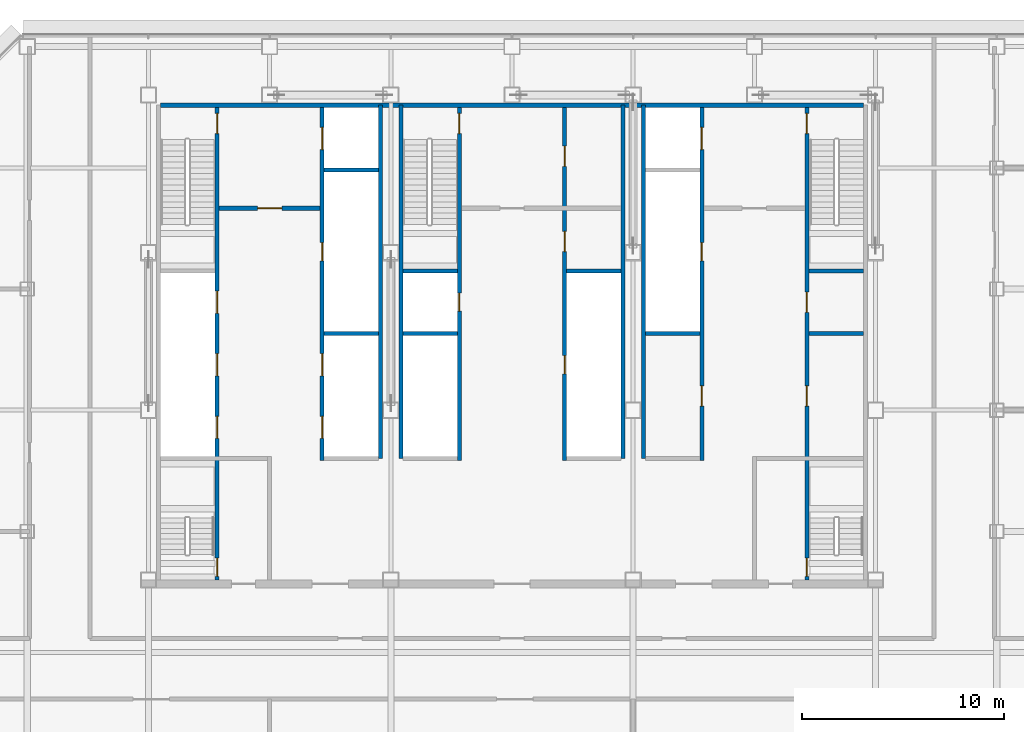
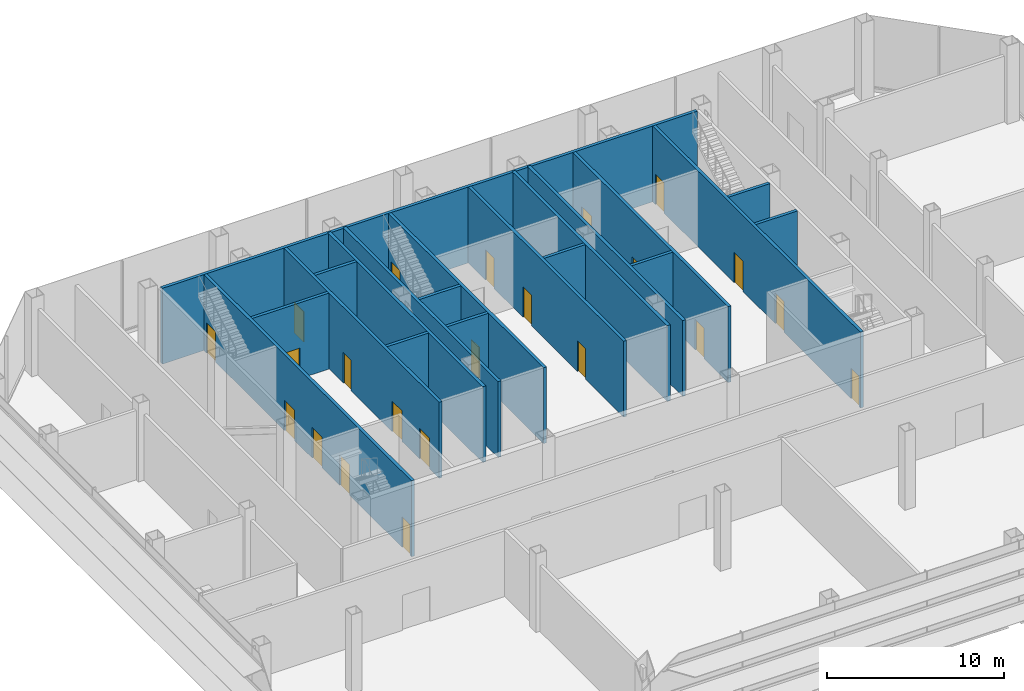
# One storey, part 17 of 23: 22 doors, 20 walls, 22 openings.
"""IFC4 building model written with IfcOpenShell, lengths in metres."""

from ifc_helpers import new_model, si_unit, direction, frame, frame_2d, origin, place, context, subcontext, project, spatial, rectangle, extrude, material, layer, layer_set, type_object, element, fill, save


model = new_model("IFC4")

# Units and contexts
model_context = context("Model", 3, precision=1e-05, world=origin(), true_north=direction((0.0, 1.0)))
body_context = subcontext(model_context, "Body", "Model", "MODEL_VIEW")
ifc_project = project(units=[si_unit("LENGTHUNIT", "METRE"), si_unit("AREAUNIT", "SQUARE_METRE"), si_unit("VOLUMEUNIT", "CUBIC_METRE"), si_unit("PLANEANGLEUNIT", "RADIAN"), si_unit("MASSUNIT", "GRAM", prefix="KILO")], contexts=[model_context])

# Site, building, storey
site_placement = place(None, origin())
site = spatial("IfcSite", under=ifc_project, at=site_placement, CompositionType="ELEMENT")
building_placement = place(site_placement, origin())
building = spatial("IfcBuilding", under=site, at=building_placement, Name="Sorahane Residences", CompositionType="ELEMENT")
storey_placement = place(building_placement, frame((0.0, 0.0, 114.199951171875)))
storey = spatial("IfcBuildingStorey", under=building, at=storey_placement, Name="L25", CompositionType="ELEMENT", Elevation=114.199951171875)

# Walls
ifc_material_1 = material(Name="Concrete C30", Category="concrete")
ifc_layer_1 = layer(ifc_material_1, 0.199951171875)
ifc_layer_set_1 = layer_set([ifc_layer_1], Name="Core face wall 200 EI 180")
wall_type_1 = type_object("IfcWallType", Name="Core face wall 200 EI 180", PredefinedType="SOLIDWALL", material=ifc_layer_set_1)
wall_1_placement = place(storey_placement, frame((6.60009765625, 45.10009765625, 0.0), z_axis=(0.0, 0.0, 1.0), x_axis=(1.0, 0.0, 0.0)))
element("IfcWall", 1, at=wall_1_placement, inside=storey, type_object=wall_type_1, Name="L25 core face wall", PredefinedType="SOLIDWALL", context=body_context, shape_type="SweptSolid", body=[
    extrude(rectangle(XDim=34.7998046875, YDim=0.199951171875, at=frame_2d((17.39990234375, 0.0))), origin(), (0.0, 0.0, 1.0), 5.219970703125),
])
for number, where, z_axis, x_axis, name in (
    (2, (17.5, 27.60009765625, 0.0), (0.0, 0.0, 1.0), (0.0, 1.0, 0.0), "L25 core face wall"),
    (3, (18.5, 27.60009765625, 0.0), (0.0, 0.0, 1.0), (0.0, 1.0, 0.0), "L25 core face wall"),
    (4, (29.5, 27.60009765625, 0.0), (0.0, 0.0, 1.0), (0.0, 1.0, 0.0), "L25 core face wall"),
    (5, (30.5, 27.60009765625, 0.0), (0.0, 0.0, 1.0), (0.0, 1.0, 0.0), "L25 core face wall"),
):
    element("IfcWall", number, at=place(storey_placement, frame(where, z_axis=z_axis, x_axis=x_axis)), inside=storey, type_object=wall_type_1, Name=name, PredefinedType="SOLIDWALL", context=body_context, shape_type="SweptSolid", body=[
        extrude(rectangle(XDim=17.5, YDim=0.199951171875, at=frame_2d((8.75, 0.0))), origin(), (0.0, 0.0, 1.0), 5.219970703125),
    ])

# Wall, opening, door
ifc_material_2 = material(Name="Concrete C30", Category="concrete")
ifc_layer_2 = layer(ifc_material_2, 0.199951171875)
ifc_layer_set_2 = layer_set([ifc_layer_2], Name="Front room wall 200 EI 120")
wall_type_2 = type_object("IfcWallType", Name="Front room wall 200 EI 120", PredefinedType="PARTITIONING", material=ifc_layer_set_2)
wall_2_placement = place(storey_placement, frame((9.5, 40.0, 0.0), z_axis=(0.0, 0.0, 1.0), x_axis=(1.0, 0.0, 0.0)))
wall_2 = element("IfcWall", 6, at=wall_2_placement, inside=storey, type_object=wall_type_2, Name="L25 front room wall", PredefinedType="PARTITIONING", context=body_context, shape_type="SweptSolid", body=[
    extrude(rectangle(XDim=5.0, YDim=0.199951171875, at=frame_2d((2.5, 0.0))), origin(), (0.0, 0.0, 1.0), 5.219970703125),
])
opening_1_placement = place(wall_2_placement, frame((1.89990234375, 0.0, 0.0)))
opening_1 = element("IfcOpeningElement", 7, at=opening_1_placement, cuts=wall_2, Name="Opening L25-C06", PredefinedType="OPENING", context=body_context, shape_type="SweptSolid", body=[
    extrude(rectangle(XDim=1.199951171875, YDim=2.10009765625, at=frame_2d((0.60009765625, 1.050048828125))), frame((0.0, 0.10986328125, 0.0), z_axis=(0.0, -1.0, 0.0), x_axis=(1.0, 0.0, 0.0)), (0.0, 0.0, 1.0), 0.219970703125),
])
ifc_material_3 = material(Name="Steel", Category="steel")
door_type_1 = type_object("IfcDoorType", Name="Front room door 1200x2100 FD120", OperationType="NOTDEFINED", PredefinedType="DOOR", material=ifc_material_3)
door_1_placement = place(opening_1_placement, frame((1.199951171875, 0.0, 0.0), z_axis=(0.0, 0.0, 1.0), x_axis=(-1.0, 0.0, 0.0)))
door_1 = element("IfcDoor", 8, at=door_1_placement, inside=storey, type_object=door_type_1, Name="Front room door Firefighting lobby FF1 front room L25", OperationType="DOUBLE_DOOR_SINGLE_SWING", OverallHeight=2.10009765625, OverallWidth=1.199951171875, PredefinedType="DOOR", context=body_context, shape_type="SweptSolid", body=[
    extrude(rectangle(XDim=1.199951171875, YDim=2.10009765625, at=frame_2d((0.60009765625, 1.050048828125))), frame((0.0, 0.02490234375, 0.0), z_axis=(0.0, -1.0, 0.0), x_axis=(1.0, 0.0, 0.0)), (0.0, 0.0, 1.0), 0.050048828125),
])
fill(opening_1, door_1)

# Wall, openings, doors
ifc_material_4 = material(Name="Concrete C30", Category="concrete")
ifc_layer_3 = layer(ifc_material_4, 0.199951171875)
ifc_layer_set_3 = layer_set([ifc_layer_3], Name="Lift shaft wall 200 EI 120")
wall_type_3 = type_object("IfcWallType", Name="Lift shaft wall 200 EI 120", PredefinedType="SOLIDWALL", material=ifc_layer_set_3)
wall_3_placement = place(storey_placement, frame((14.60009765625, 27.5, 0.0), z_axis=(0.0, 0.0, 1.0), x_axis=(0.0, 1.0, 0.0)))
wall_3 = element("IfcWall", 9, at=wall_3_placement, inside=storey, type_object=wall_type_3, Name="L25 lift shaft wall", PredefinedType="SOLIDWALL", context=body_context, shape_type="SweptSolid", body=[
    extrude(rectangle(XDim=17.5, YDim=0.199951171875, at=frame_2d((8.75, 0.0))), origin(), (0.0, 0.0, 1.0), 5.219970703125),
])
opening_2_placement = place(wall_3_placement, frame((1.10009765625, 0.0, 0.0)))
opening_2 = element("IfcOpeningElement", 10, at=opening_2_placement, cuts=wall_3, Name="Opening L25-C10", PredefinedType="OPENING", context=body_context, shape_type="SweptSolid", body=[
    extrude(rectangle(XDim=1.10009765625, YDim=2.10009765625, at=frame_2d((0.550048828125, 1.050048828125))), frame((0.0, 0.10986328125, 0.0), z_axis=(0.0, -1.0, 0.0), x_axis=(1.0, 0.0, 0.0)), (0.0, 0.0, 1.0), 0.219970703125),
])
opening_3_placement = place(wall_3_placement, frame((4.199951171875, 0.0, 0.0)))
opening_3 = element("IfcOpeningElement", 11, at=opening_3_placement, cuts=wall_3, Name="Opening L25-C11", PredefinedType="OPENING", context=body_context, shape_type="SweptSolid", body=[
    extrude(rectangle(XDim=1.10009765625, YDim=2.10009765625, at=frame_2d((0.550048828125, 1.050048828125))), frame((0.0, 0.10986328125, 0.0), z_axis=(0.0, -1.0, 0.0), x_axis=(1.0, 0.0, 0.0)), (0.0, 0.0, 1.0), 0.219970703125),
])
opening_4_placement = place(wall_3_placement, frame((15.39990234375, 0.0, 0.0)))
opening_4 = element("IfcOpeningElement", 12, at=opening_4_placement, cuts=wall_3, Name="Opening L25-C12", PredefinedType="OPENING", context=body_context, shape_type="SweptSolid", body=[
    extrude(rectangle(XDim=1.10009765625, YDim=2.10009765625, at=frame_2d((0.550048828125, 1.050048828125))), frame((0.0, 0.10986328125, 0.0), z_axis=(0.0, -1.0, 0.0), x_axis=(1.0, 0.0, 0.0)), (0.0, 0.0, 1.0), 0.219970703125),
])
opening_5_placement = place(wall_3_placement, frame((9.89990234375, 0.0, 0.0)))
opening_5 = element("IfcOpeningElement", 13, at=opening_5_placement, cuts=wall_3, Name="Opening L25-C24", PredefinedType="OPENING", context=body_context, shape_type="SweptSolid", body=[
    extrude(rectangle(XDim=0.89990234375, YDim=2.10009765625, at=frame_2d((0.449951171875, 1.050048828125))), frame((0.0, 0.10986328125, 0.0), z_axis=(0.0, -1.0, 0.0), x_axis=(1.0, 0.0, 0.0)), (0.0, 0.0, 1.0), 0.219970703125),
])
ifc_material_5 = material(Name="Aluminium and stainless steel", Category="steel")
door_type_2 = type_object("IfcDoorType", Name="Lift landing door 1100x2100 E 60", OperationType="NOTDEFINED", PredefinedType="DOOR", material=ifc_material_5)
door_2_placement = place(opening_2_placement, origin())
door_2 = element("IfcDoor", 14, at=door_2_placement, inside=storey, type_object=door_type_2, Name="Lift landing door LR4 L25", OperationType="DOUBLE_DOOR_SLIDING", OverallHeight=2.10009765625, OverallWidth=1.10009765625, PredefinedType="DOOR", context=body_context, shape_type="SweptSolid", body=[
    extrude(rectangle(XDim=1.10009765625, YDim=2.10009765625, at=frame_2d((0.550048828125, 1.050048828125))), frame((0.0, 0.02490234375, 0.0), z_axis=(0.0, -1.0, 0.0), x_axis=(1.0, 0.0, 0.0)), (0.0, 0.0, 1.0), 0.050048828125),
])
fill(opening_2, door_2)
door_3_placement = place(opening_3_placement, origin())
door_3 = element("IfcDoor", 15, at=door_3_placement, inside=storey, type_object=door_type_2, Name="Lift landing door LR5 L25", OperationType="DOUBLE_DOOR_SLIDING", OverallHeight=2.10009765625, OverallWidth=1.10009765625, PredefinedType="DOOR", context=body_context, shape_type="SweptSolid", body=[
    extrude(rectangle(XDim=1.10009765625, YDim=2.10009765625, at=frame_2d((0.550048828125, 1.050048828125))), frame((0.0, 0.02490234375, 0.0), z_axis=(0.0, -1.0, 0.0), x_axis=(1.0, 0.0, 0.0)), (0.0, 0.0, 1.0), 0.050048828125),
])
fill(opening_3, door_3)
door_4_placement = place(opening_4_placement, origin())
door_4 = element("IfcDoor", 16, at=door_4_placement, inside=storey, type_object=door_type_2, Name="Lift landing door FF1 L25", OperationType="DOUBLE_DOOR_SLIDING", OverallHeight=2.10009765625, OverallWidth=1.10009765625, PredefinedType="DOOR", context=body_context, shape_type="SweptSolid", body=[
    extrude(rectangle(XDim=1.10009765625, YDim=2.10009765625, at=frame_2d((0.550048828125, 1.050048828125))), frame((0.0, 0.02490234375, 0.0), z_axis=(0.0, -1.0, 0.0), x_axis=(1.0, 0.0, 0.0)), (0.0, 0.0, 1.0), 0.050048828125),
])
fill(opening_4, door_4)
ifc_material_6 = material(Name="Steel", Category="steel")
door_type_3 = type_object("IfcDoorType", Name="Riser door 900x2100 FD120", OperationType="NOTDEFINED", PredefinedType="DOOR", material=ifc_material_6)
door_5_placement = place(opening_5_placement, origin())
door_5 = element("IfcDoor", 17, at=door_5_placement, inside=storey, type_object=door_type_3, Name="Riser door R1 L25", OperationType="SINGLE_SWING_LEFT", OverallHeight=2.10009765625, OverallWidth=0.89990234375, PredefinedType="DOOR", context=body_context, shape_type="SweptSolid", body=[
    extrude(rectangle(XDim=0.89990234375, YDim=2.10009765625, at=frame_2d((0.449951171875, 1.050048828125))), frame((0.0, 0.02490234375, 0.0), z_axis=(0.0, -1.0, 0.0), x_axis=(1.0, 0.0, 0.0)), (0.0, 0.0, 1.0), 0.050048828125),
])
fill(opening_5, door_5)

wall_4_placement = place(storey_placement, frame((33.39990234375, 27.5, 0.0), z_axis=(0.0, 0.0, 1.0), x_axis=(0.0, 1.0, 0.0)))
wall_4 = element("IfcWall", 18, at=wall_4_placement, inside=storey, type_object=wall_type_3, Name="L25 lift shaft wall", PredefinedType="SOLIDWALL", context=body_context, shape_type="SweptSolid", body=[
    extrude(rectangle(XDim=17.5, YDim=0.199951171875, at=frame_2d((8.75, 0.0))), origin(), (0.0, 0.0, 1.0), 5.219970703125),
])
opening_6_placement = place(wall_4_placement, frame((15.39990234375, 0.0, 0.0)))
opening_6 = element("IfcOpeningElement", 19, at=opening_6_placement, cuts=wall_4, Name="Opening L25-C09", PredefinedType="OPENING", context=body_context, shape_type="SweptSolid", body=[
    extrude(rectangle(XDim=1.10009765625, YDim=2.10009765625, at=frame_2d((0.550048828125, 1.050048828125))), frame((0.0, 0.10986328125, 0.0), z_axis=(0.0, -1.0, 0.0), x_axis=(1.0, 0.0, 0.0)), (0.0, 0.0, 1.0), 0.219970703125),
])
opening_7_placement = place(wall_4_placement, frame((2.699951171875, 0.0, 0.0)))
opening_7 = element("IfcOpeningElement", 20, at=opening_7_placement, cuts=wall_4, Name="Opening L25-C18", PredefinedType="OPENING", context=body_context, shape_type="SweptSolid", body=[
    extrude(rectangle(XDim=1.0, YDim=2.10009765625, at=frame_2d((0.5, 1.050048828125))), frame((0.0, 0.10986328125, 0.0), z_axis=(0.0, -1.0, 0.0), x_axis=(1.0, 0.0, 0.0)), (0.0, 0.0, 1.0), 0.219970703125),
])
opening_8_placement = place(wall_4_placement, frame((9.89990234375, 0.0, 0.0)))
opening_8 = element("IfcOpeningElement", 21, at=opening_8_placement, cuts=wall_4, Name="Opening L25-C25", PredefinedType="OPENING", context=body_context, shape_type="SweptSolid", body=[
    extrude(rectangle(XDim=0.89990234375, YDim=2.10009765625, at=frame_2d((0.449951171875, 1.050048828125))), frame((0.0, 0.10986328125, 0.0), z_axis=(0.0, -1.0, 0.0), x_axis=(1.0, 0.0, 0.0)), (0.0, 0.0, 1.0), 0.219970703125),
])
door_6_placement = place(opening_6_placement, origin())
door_6 = element("IfcDoor", 22, at=door_6_placement, inside=storey, type_object=door_type_2, Name="Lift landing door FF2 L25", OperationType="DOUBLE_DOOR_SLIDING", OverallHeight=2.10009765625, OverallWidth=1.10009765625, PredefinedType="DOOR", context=body_context, shape_type="SweptSolid", body=[
    extrude(rectangle(XDim=1.10009765625, YDim=2.10009765625, at=frame_2d((0.550048828125, 1.050048828125))), frame((0.0, 0.02490234375, 0.0), z_axis=(0.0, -1.0, 0.0), x_axis=(1.0, 0.0, 0.0)), (0.0, 0.0, 1.0), 0.050048828125),
])
fill(opening_6, door_6)
door_7_placement = place(opening_8_placement, frame((0.89990234375, 0.0, 0.0), z_axis=(0.0, 0.0, 1.0), x_axis=(-1.0, 0.0, 0.0)))
door_7 = element("IfcDoor", 23, at=door_7_placement, inside=storey, type_object=door_type_3, Name="Riser door R2 L25", OperationType="SINGLE_SWING_LEFT", OverallHeight=2.10009765625, OverallWidth=0.89990234375, PredefinedType="DOOR", context=body_context, shape_type="SweptSolid", body=[
    extrude(rectangle(XDim=0.89990234375, YDim=2.10009765625, at=frame_2d((0.449951171875, 1.050048828125))), frame((0.0, 0.02490234375, 0.0), z_axis=(0.0, -1.0, 0.0), x_axis=(1.0, 0.0, 0.0)), (0.0, 0.0, 1.0), 0.050048828125),
])
fill(opening_8, door_7)
ifc_material_7 = material(Name="Steel", Category="steel")
door_type_4 = type_object("IfcDoorType", Name="Service room door 1000x2100 FD60", OperationType="NOTDEFINED", PredefinedType="DOOR", material=ifc_material_7)
door_8_placement = place(opening_7_placement, origin())
door_8 = element("IfcDoor", 24, at=door_8_placement, inside=storey, type_object=door_type_4, Name="Service room door Games room L25", OperationType="SINGLE_SWING_RIGHT", OverallHeight=2.10009765625, OverallWidth=1.0, PredefinedType="DOOR", context=body_context, shape_type="SweptSolid", body=[
    extrude(rectangle(XDim=1.0, YDim=2.10009765625, at=frame_2d((0.5, 1.050048828125))), frame((0.0, 0.02490234375, 0.0), z_axis=(0.0, -1.0, 0.0), x_axis=(1.0, 0.0, 0.0)), (0.0, 0.0, 1.0), 0.050048828125),
])
fill(opening_7, door_8)

# Walls
for number, where, z_axis, x_axis, name in (
    (25, (14.699951171875, 33.800048828125, 0.0), (0.0, 0.0, 1.0), (1.0, 0.0, 0.0), "L25 lift shaft wall"),
    (26, (18.60009765625, 33.800048828125, 0.0), (0.0, 0.0, 1.0), (1.0, 0.0, 0.0), "L25 lift shaft wall"),
    (27, (14.699951171875, 41.89990234375, 0.0), (0.0, 0.0, 1.0), (1.0, 0.0, 0.0), "L25 lift shaft wall"),
):
    element("IfcWall", number, at=place(storey_placement, frame(where, z_axis=z_axis, x_axis=x_axis)), inside=storey, type_object=wall_type_3, Name=name, PredefinedType="SOLIDWALL", context=body_context, shape_type="SweptSolid", body=[
        extrude(rectangle(XDim=2.699951171875, YDim=0.199951171875, at=frame_2d((1.35009765625, 0.0))), origin(), (0.0, 0.0, 1.0), 5.219970703125),
    ])

# Wall, openings, doors
ifc_material_8 = material(Name="Concrete C30", Category="concrete")
ifc_layer_4 = layer(ifc_material_8, 0.199951171875)
ifc_layer_set_4 = layer_set([ifc_layer_4], Name="Riser shaft wall 200 EI 120")
wall_type_4 = type_object("IfcWallType", Name="Riser shaft wall 200 EI 120", PredefinedType="SOLIDWALL", material=ifc_layer_set_4)
wall_5_placement = place(storey_placement, frame((26.60009765625, 27.5, 0.0), z_axis=(0.0, 0.0, 1.0), x_axis=(0.0, 1.0, 0.0)))
wall_5 = element("IfcWall", 28, at=wall_5_placement, inside=storey, type_object=wall_type_4, Name="L25 riser wall", PredefinedType="SOLIDWALL", context=body_context, shape_type="SweptSolid", body=[
    extrude(rectangle(XDim=17.5, YDim=0.199951171875, at=frame_2d((8.75, 0.0))), origin(), (0.0, 0.0, 1.0), 5.219970703125),
])
opening_9_placement = place(wall_5_placement, frame((4.300048828125, 0.0, 0.0)))
opening_9 = element("IfcOpeningElement", 29, at=opening_9_placement, cuts=wall_5, Name="Opening L25-C27", PredefinedType="OPENING", context=body_context, shape_type="SweptSolid", body=[
    extrude(rectangle(XDim=0.89990234375, YDim=2.10009765625, at=frame_2d((0.449951171875, 1.050048828125))), frame((0.0, 0.10986328125, 0.0), z_axis=(0.0, -1.0, 0.0), x_axis=(1.0, 0.0, 0.0)), (0.0, 0.0, 1.0), 0.219970703125),
])
opening_10_placement = place(wall_5_placement, frame((10.35009765625, 0.0, 0.0)))
opening_10 = element("IfcOpeningElement", 30, at=opening_10_placement, cuts=wall_5, Name="Opening L25-C28", PredefinedType="OPENING", context=body_context, shape_type="SweptSolid", body=[
    extrude(rectangle(XDim=1.0, YDim=2.10009765625, at=frame_2d((0.5, 1.050048828125))), frame((0.0, 0.10986328125, 0.0), z_axis=(0.0, -1.0, 0.0), x_axis=(1.0, 0.0, 0.0)), (0.0, 0.0, 1.0), 0.219970703125),
])
opening_11_placement = place(wall_5_placement, frame((14.574951171875, 0.0, 0.0)))
opening_11 = element("IfcOpeningElement", 31, at=opening_11_placement, cuts=wall_5, Name="Opening L25-C29", PredefinedType="OPENING", context=body_context, shape_type="SweptSolid", body=[
    extrude(rectangle(XDim=1.0, YDim=2.10009765625, at=frame_2d((0.5, 1.050048828125))), frame((0.0, 0.10986328125, 0.0), z_axis=(0.0, -1.0, 0.0), x_axis=(1.0, 0.0, 0.0)), (0.0, 0.0, 1.0), 0.219970703125),
])
door_9_placement = place(opening_9_placement, origin())
door_9 = element("IfcDoor", 32, at=door_9_placement, inside=storey, type_object=door_type_3, Name="Riser door R4 L25", OperationType="SINGLE_SWING_LEFT", OverallHeight=2.10009765625, OverallWidth=0.89990234375, PredefinedType="DOOR", context=body_context, shape_type="SweptSolid", body=[
    extrude(rectangle(XDim=0.89990234375, YDim=2.10009765625, at=frame_2d((0.449951171875, 1.050048828125))), frame((0.0, 0.02490234375, 0.0), z_axis=(0.0, -1.0, 0.0), x_axis=(1.0, 0.0, 0.0)), (0.0, 0.0, 1.0), 0.050048828125),
])
fill(opening_9, door_9)
door_10_placement = place(opening_10_placement, frame((1.0, 0.0, 0.0), z_axis=(0.0, 0.0, 1.0), x_axis=(-1.0, 0.0, 0.0)))
door_10 = element("IfcDoor", 33, at=door_10_placement, inside=storey, type_object=door_type_4, Name="Service room door Linen room L25", OperationType="SINGLE_SWING_LEFT", OverallHeight=2.10009765625, OverallWidth=1.0, PredefinedType="DOOR", context=body_context, shape_type="SweptSolid", body=[
    extrude(rectangle(XDim=1.0, YDim=2.10009765625, at=frame_2d((0.5, 1.050048828125))), frame((0.0, 0.02490234375, 0.0), z_axis=(0.0, -1.0, 0.0), x_axis=(1.0, 0.0, 0.0)), (0.0, 0.0, 1.0), 0.050048828125),
])
fill(opening_10, door_10)
door_11_placement = place(opening_11_placement, frame((1.0, 0.0, 0.0), z_axis=(0.0, 0.0, 1.0), x_axis=(-1.0, 0.0, 0.0)))
door_11 = element("IfcDoor", 34, at=door_11_placement, inside=storey, type_object=door_type_4, Name="Service room door Cleaners' store L25", OperationType="SINGLE_SWING_LEFT", OverallHeight=2.10009765625, OverallWidth=1.0, PredefinedType="DOOR", context=body_context, shape_type="SweptSolid", body=[
    extrude(rectangle(XDim=1.0, YDim=2.10009765625, at=frame_2d((0.5, 1.050048828125))), frame((0.0, 0.02490234375, 0.0), z_axis=(0.0, -1.0, 0.0), x_axis=(1.0, 0.0, 0.0)), (0.0, 0.0, 1.0), 0.050048828125),
])
fill(opening_11, door_11)

# Walls
for number, where, z_axis, x_axis, name in (
    (35, (30.60009765625, 33.800048828125, 0.0), (0.0, 0.0, 1.0), (1.0, 0.0, 0.0), "L25 riser wall"),
    (36, (26.699951171875, 36.89990234375, 0.0), (0.0, 0.0, 1.0), (1.0, 0.0, 0.0), "L25 riser wall"),
):
    element("IfcWall", number, at=place(storey_placement, frame(where, z_axis=z_axis, x_axis=x_axis)), inside=storey, type_object=wall_type_4, Name=name, PredefinedType="SOLIDWALL", context=body_context, shape_type="SweptSolid", body=[
        extrude(rectangle(XDim=2.699951171875, YDim=0.199951171875, at=frame_2d((1.35009765625, 0.0))), origin(), (0.0, 0.0, 1.0), 5.219970703125),
    ])
ifc_material_9 = material(Name="Concrete C30", Category="concrete")
ifc_layer_5 = layer(ifc_material_9, 0.199951171875)
ifc_layer_set_5 = layer_set([ifc_layer_5], Name="Service room partition 200 EI 60")
wall_type_5 = type_object("IfcWallType", Name="Service room partition 200 EI 60", PredefinedType="PARTITIONING", material=ifc_layer_set_5)
wall_6_placement = place(storey_placement, frame((38.699951171875, 33.800048828125, 0.0), z_axis=(0.0, 0.0, 1.0), x_axis=(1.0, 0.0, 0.0)))
element("IfcWall", 37, at=wall_6_placement, inside=storey, type_object=wall_type_5, Name="L25 service room wall", PredefinedType="PARTITIONING", context=body_context, shape_type="SweptSolid", body=[
    extrude(rectangle(XDim=2.699951171875, YDim=0.199951171875, at=frame_2d((1.35009765625, 0.0))), origin(), (0.0, 0.0, 1.0), 5.219970703125),
])

# Wall, openings, doors
ifc_material_10 = material(Name="Concrete C30", Category="concrete")
ifc_layer_6 = layer(ifc_material_10, 0.199951171875)
ifc_layer_set_6 = layer_set([ifc_layer_6], Name="Stair enclosure wall 200 EI 120")
wall_type_6 = type_object("IfcWallType", Name="Stair enclosure wall 200 EI 120", PredefinedType="SOLIDWALL", material=ifc_layer_set_6)
wall_7_placement = place(storey_placement, frame((21.39990234375, 27.5, 0.0), z_axis=(0.0, 0.0, 1.0), x_axis=(0.0, 1.0, 0.0)))
wall_7 = element("IfcWall", 38, at=wall_7_placement, inside=storey, type_object=wall_type_6, Name="L25 stair enclosure wall", PredefinedType="SOLIDWALL", context=body_context, shape_type="SweptSolid", body=[
    extrude(rectangle(XDim=17.5, YDim=0.199951171875, at=frame_2d((8.75, 0.0))), origin(), (0.0, 0.0, 1.0), 5.219970703125),
])
opening_12_placement = place(wall_7_placement, frame((16.199951171875, 0.0, 0.0)))
opening_12 = element("IfcOpeningElement", 39, at=opening_12_placement, cuts=wall_7, Name="Opening L25-C21", PredefinedType="OPENING", context=body_context, shape_type="SweptSolid", body=[
    extrude(rectangle(XDim=1.0, YDim=2.10009765625, at=frame_2d((0.5, 1.050048828125))), frame((0.0, 0.10986328125, 0.0), z_axis=(0.0, -1.0, 0.0), x_axis=(1.0, 0.0, 0.0)), (0.0, 0.0, 1.0), 0.219970703125),
])
opening_13_placement = place(wall_7_placement, frame((7.39990234375, 0.0, 0.0)))
opening_13 = element("IfcOpeningElement", 40, at=opening_13_placement, cuts=wall_7, Name="Opening L25-C26", PredefinedType="OPENING", context=body_context, shape_type="SweptSolid", body=[
    extrude(rectangle(XDim=0.89990234375, YDim=2.10009765625, at=frame_2d((0.449951171875, 1.050048828125))), frame((0.0, 0.10986328125, 0.0), z_axis=(0.0, -1.0, 0.0), x_axis=(1.0, 0.0, 0.0)), (0.0, 0.0, 1.0), 0.219970703125),
])
door_12_placement = place(opening_13_placement, frame((0.89990234375, 0.0, 0.0), z_axis=(0.0, 0.0, 1.0), x_axis=(-1.0, 0.0, 0.0)))
door_12 = element("IfcDoor", 41, at=door_12_placement, inside=storey, type_object=door_type_3, Name="Riser door R3 L25", OperationType="SINGLE_SWING_LEFT", OverallHeight=2.10009765625, OverallWidth=0.89990234375, PredefinedType="DOOR", context=body_context, shape_type="SweptSolid", body=[
    extrude(rectangle(XDim=0.89990234375, YDim=2.10009765625, at=frame_2d((0.449951171875, 1.050048828125))), frame((0.0, 0.02490234375, 0.0), z_axis=(0.0, -1.0, 0.0), x_axis=(1.0, 0.0, 0.0)), (0.0, 0.0, 1.0), 0.050048828125),
])
fill(opening_13, door_12)
ifc_material_11 = material(Name="Steel", Category="steel")
door_type_5 = type_object("IfcDoorType", Name="Stair door 1000x2100 FD120", OperationType="NOTDEFINED", PredefinedType="DOOR", material=ifc_material_11)
door_13_placement = place(opening_12_placement, origin())
door_13 = element("IfcDoor", 42, at=door_13_placement, inside=storey, type_object=door_type_5, Name="Stair door S3 L25", OperationType="SINGLE_SWING_LEFT", OverallHeight=2.10009765625, OverallWidth=1.0, PredefinedType="DOOR", context=body_context, shape_type="SweptSolid", body=[
    extrude(rectangle(XDim=1.0, YDim=2.10009765625, at=frame_2d((0.5, 1.050048828125))), frame((0.0, 0.02490234375, 0.0), z_axis=(0.0, -1.0, 0.0), x_axis=(1.0, 0.0, 0.0)), (0.0, 0.0, 1.0), 0.050048828125),
])
fill(opening_12, door_13)

wall_8_placement = place(storey_placement, frame((38.60009765625, 21.60009765625, 0.0), z_axis=(0.0, 0.0, 1.0), x_axis=(0.0, 1.0, 0.0)))
wall_8 = element("IfcWall", 43, at=wall_8_placement, inside=storey, type_object=wall_type_6, Name="L25 stair enclosure wall", PredefinedType="SOLIDWALL", context=body_context, shape_type="SweptSolid", body=[
    extrude(rectangle(XDim=23.39990234375, YDim=0.199951171875, at=frame_2d((11.699951171875, 0.0))), origin(), (0.0, 0.0, 1.0), 5.219970703125),
])
opening_14_placement = place(wall_8_placement, frame((8.60009765625, 0.0, 0.0)))
opening_14 = element("IfcOpeningElement", 44, at=opening_14_placement, cuts=wall_8, Name="Opening L25-C16", PredefinedType="OPENING", context=body_context, shape_type="SweptSolid", body=[
    extrude(rectangle(XDim=1.0, YDim=2.10009765625, at=frame_2d((0.5, 1.050048828125))), frame((0.0, 0.10986328125, 0.0), z_axis=(0.0, -1.0, 0.0), x_axis=(1.0, 0.0, 0.0)), (0.0, 0.0, 1.0), 0.219970703125),
])
opening_15_placement = place(wall_8_placement, frame((13.25, 0.0, 0.0)))
opening_15 = element("IfcOpeningElement", 45, at=opening_15_placement, cuts=wall_8, Name="Opening L25-C17", PredefinedType="OPENING", context=body_context, shape_type="SweptSolid", body=[
    extrude(rectangle(XDim=1.0, YDim=2.10009765625, at=frame_2d((0.5, 1.050048828125))), frame((0.0, 0.10986328125, 0.0), z_axis=(0.0, -1.0, 0.0), x_axis=(1.0, 0.0, 0.0)), (0.0, 0.0, 1.0), 0.219970703125),
])
opening_16_placement = place(wall_8_placement, frame((22.10009765625, 0.0, 0.0)))
opening_16 = element("IfcOpeningElement", 46, at=opening_16_placement, cuts=wall_8, Name="Opening L25-C20", PredefinedType="OPENING", context=body_context, shape_type="SweptSolid", body=[
    extrude(rectangle(XDim=1.0, YDim=2.10009765625, at=frame_2d((0.5, 1.050048828125))), frame((0.0, 0.10986328125, 0.0), z_axis=(0.0, -1.0, 0.0), x_axis=(1.0, 0.0, 0.0)), (0.0, 0.0, 1.0), 0.219970703125),
])
opening_17_placement = place(wall_8_placement, frame((0.175048828125, 0.0, 0.0)))
opening_17 = element("IfcOpeningElement", 47, at=opening_17_placement, cuts=wall_8, Name="Opening L25-C23", PredefinedType="OPENING", context=body_context, shape_type="SweptSolid", body=[
    extrude(rectangle(XDim=0.89990234375, YDim=2.10009765625, at=frame_2d((0.449951171875, 1.050048828125))), frame((0.0, 0.10986328125, 0.0), z_axis=(0.0, -1.0, 0.0), x_axis=(1.0, 0.0, 0.0)), (0.0, 0.0, 1.0), 0.219970703125),
])
door_14_placement = place(opening_14_placement, frame((1.0, 0.0, 0.0), z_axis=(0.0, 0.0, 1.0), x_axis=(-1.0, 0.0, 0.0)))
door_14 = element("IfcDoor", 48, at=door_14_placement, inside=storey, type_object=door_type_4, Name="Service room door Games room L25", OperationType="SINGLE_SWING_RIGHT", OverallHeight=2.10009765625, OverallWidth=1.0, PredefinedType="DOOR", context=body_context, shape_type="SweptSolid", body=[
    extrude(rectangle(XDim=1.0, YDim=2.10009765625, at=frame_2d((0.5, 1.050048828125))), frame((0.0, 0.02490234375, 0.0), z_axis=(0.0, -1.0, 0.0), x_axis=(1.0, 0.0, 0.0)), (0.0, 0.0, 1.0), 0.050048828125),
])
fill(opening_14, door_14)
door_15_placement = place(opening_15_placement, frame((1.0, 0.0, 0.0), z_axis=(0.0, 0.0, 1.0), x_axis=(-1.0, 0.0, 0.0)))
door_15 = element("IfcDoor", 49, at=door_15_placement, inside=storey, type_object=door_type_4, Name="Service room door Audio room L25", OperationType="SINGLE_SWING_LEFT", OverallHeight=2.10009765625, OverallWidth=1.0, PredefinedType="DOOR", context=body_context, shape_type="SweptSolid", body=[
    extrude(rectangle(XDim=1.0, YDim=2.10009765625, at=frame_2d((0.5, 1.050048828125))), frame((0.0, 0.02490234375, 0.0), z_axis=(0.0, -1.0, 0.0), x_axis=(1.0, 0.0, 0.0)), (0.0, 0.0, 1.0), 0.050048828125),
])
fill(opening_15, door_15)
door_16_placement = place(opening_16_placement, frame((1.0, 0.0, 0.0), z_axis=(0.0, 0.0, 1.0), x_axis=(-1.0, 0.0, 0.0)))
door_16 = element("IfcDoor", 50, at=door_16_placement, inside=storey, type_object=door_type_5, Name="Stair door S2 L25", OperationType="SINGLE_SWING_LEFT", OverallHeight=2.10009765625, OverallWidth=1.0, PredefinedType="DOOR", context=body_context, shape_type="SweptSolid", body=[
    extrude(rectangle(XDim=1.0, YDim=2.10009765625, at=frame_2d((0.5, 1.050048828125))), frame((0.0, 0.02490234375, 0.0), z_axis=(0.0, -1.0, 0.0), x_axis=(1.0, 0.0, 0.0)), (0.0, 0.0, 1.0), 0.050048828125),
])
fill(opening_16, door_16)
ifc_material_12 = material(Name="Steel", Category="steel")
door_type_6 = type_object("IfcDoorType", Name="Stair door 900x2100 FD120", OperationType="NOTDEFINED", PredefinedType="DOOR", material=ifc_material_12)
door_17_placement = place(opening_17_placement, frame((0.89990234375, 0.0, 0.0), z_axis=(0.0, 0.0, 1.0), x_axis=(-1.0, 0.0, 0.0)))
door_17 = element("IfcDoor", 51, at=door_17_placement, inside=storey, type_object=door_type_6, Name="Stair door S5 L25", OperationType="SINGLE_SWING_LEFT", OverallHeight=2.10009765625, OverallWidth=0.89990234375, PredefinedType="DOOR", context=body_context, shape_type="SweptSolid", body=[
    extrude(rectangle(XDim=0.89990234375, YDim=2.10009765625, at=frame_2d((0.449951171875, 1.050048828125))), frame((0.0, 0.02490234375, 0.0), z_axis=(0.0, -1.0, 0.0), x_axis=(1.0, 0.0, 0.0)), (0.0, 0.0, 1.0), 0.050048828125),
])
fill(opening_17, door_17)

wall_9_placement = place(storey_placement, frame((9.39990234375, 21.60009765625, 0.0), z_axis=(0.0, 0.0, 1.0), x_axis=(0.0, 1.0, 0.0)))
wall_9 = element("IfcWall", 52, at=wall_9_placement, inside=storey, type_object=wall_type_6, Name="L25 stair enclosure wall", PredefinedType="SOLIDWALL", context=body_context, shape_type="SweptSolid", body=[
    extrude(rectangle(XDim=23.39990234375, YDim=0.199951171875, at=frame_2d((11.699951171875, 0.0))), origin(), (0.0, 0.0, 1.0), 5.219970703125),
])
opening_18_placement = place(wall_9_placement, frame((7.0, 0.0, 0.0)))
opening_18 = element("IfcOpeningElement", 53, at=opening_18_placement, cuts=wall_9, Name="Opening L25-C13", PredefinedType="OPENING", context=body_context, shape_type="SweptSolid", body=[
    extrude(rectangle(XDim=1.10009765625, YDim=2.10009765625, at=frame_2d((0.550048828125, 1.050048828125))), frame((0.0, 0.10986328125, 0.0), z_axis=(0.0, -1.0, 0.0), x_axis=(1.0, 0.0, 0.0)), (0.0, 0.0, 1.0), 0.219970703125),
])
opening_19_placement = place(wall_9_placement, frame((10.10009765625, 0.0, 0.0)))
opening_19 = element("IfcOpeningElement", 54, at=opening_19_placement, cuts=wall_9, Name="Opening L25-C14", PredefinedType="OPENING", context=body_context, shape_type="SweptSolid", body=[
    extrude(rectangle(XDim=1.10009765625, YDim=2.10009765625, at=frame_2d((0.550048828125, 1.050048828125))), frame((0.0, 0.10986328125, 0.0), z_axis=(0.0, -1.0, 0.0), x_axis=(1.0, 0.0, 0.0)), (0.0, 0.0, 1.0), 0.219970703125),
])
opening_20_placement = place(wall_9_placement, frame((13.199951171875, 0.0, 0.0)))
opening_20 = element("IfcOpeningElement", 55, at=opening_20_placement, cuts=wall_9, Name="Opening L25-C15", PredefinedType="OPENING", context=body_context, shape_type="SweptSolid", body=[
    extrude(rectangle(XDim=1.10009765625, YDim=2.10009765625, at=frame_2d((0.550048828125, 1.050048828125))), frame((0.0, 0.10986328125, 0.0), z_axis=(0.0, -1.0, 0.0), x_axis=(1.0, 0.0, 0.0)), (0.0, 0.0, 1.0), 0.219970703125),
])
opening_21_placement = place(wall_9_placement, frame((22.10009765625, 0.0, 0.0)))
opening_21 = element("IfcOpeningElement", 56, at=opening_21_placement, cuts=wall_9, Name="Opening L25-C19", PredefinedType="OPENING", context=body_context, shape_type="SweptSolid", body=[
    extrude(rectangle(XDim=1.0, YDim=2.10009765625, at=frame_2d((0.5, 1.050048828125))), frame((0.0, 0.10986328125, 0.0), z_axis=(0.0, -1.0, 0.0), x_axis=(1.0, 0.0, 0.0)), (0.0, 0.0, 1.0), 0.219970703125),
])
opening_22_placement = place(wall_9_placement, frame((0.175048828125, 0.0, 0.0)))
opening_22 = element("IfcOpeningElement", 57, at=opening_22_placement, cuts=wall_9, Name="Opening L25-C22", PredefinedType="OPENING", context=body_context, shape_type="SweptSolid", body=[
    extrude(rectangle(XDim=0.89990234375, YDim=2.10009765625, at=frame_2d((0.449951171875, 1.050048828125))), frame((0.0, 0.10986328125, 0.0), z_axis=(0.0, -1.0, 0.0), x_axis=(1.0, 0.0, 0.0)), (0.0, 0.0, 1.0), 0.219970703125),
])
door_18_placement = place(opening_18_placement, origin())
door_18 = element("IfcDoor", 58, at=door_18_placement, inside=storey, type_object=door_type_2, Name="Lift landing door LR1 L25", OperationType="DOUBLE_DOOR_SLIDING", OverallHeight=2.10009765625, OverallWidth=1.10009765625, PredefinedType="DOOR", context=body_context, shape_type="SweptSolid", body=[
    extrude(rectangle(XDim=1.10009765625, YDim=2.10009765625, at=frame_2d((0.550048828125, 1.050048828125))), frame((0.0, 0.02490234375, 0.0), z_axis=(0.0, -1.0, 0.0), x_axis=(1.0, 0.0, 0.0)), (0.0, 0.0, 1.0), 0.050048828125),
])
fill(opening_18, door_18)
door_19_placement = place(opening_19_placement, origin())
door_19 = element("IfcDoor", 59, at=door_19_placement, inside=storey, type_object=door_type_2, Name="Lift landing door LR2 L25", OperationType="DOUBLE_DOOR_SLIDING", OverallHeight=2.10009765625, OverallWidth=1.10009765625, PredefinedType="DOOR", context=body_context, shape_type="SweptSolid", body=[
    extrude(rectangle(XDim=1.10009765625, YDim=2.10009765625, at=frame_2d((0.550048828125, 1.050048828125))), frame((0.0, 0.02490234375, 0.0), z_axis=(0.0, -1.0, 0.0), x_axis=(1.0, 0.0, 0.0)), (0.0, 0.0, 1.0), 0.050048828125),
])
fill(opening_19, door_19)
door_20_placement = place(opening_20_placement, origin())
door_20 = element("IfcDoor", 60, at=door_20_placement, inside=storey, type_object=door_type_2, Name="Lift landing door LR3 L25", OperationType="DOUBLE_DOOR_SLIDING", OverallHeight=2.10009765625, OverallWidth=1.10009765625, PredefinedType="DOOR", context=body_context, shape_type="SweptSolid", body=[
    extrude(rectangle(XDim=1.10009765625, YDim=2.10009765625, at=frame_2d((0.550048828125, 1.050048828125))), frame((0.0, 0.02490234375, 0.0), z_axis=(0.0, -1.0, 0.0), x_axis=(1.0, 0.0, 0.0)), (0.0, 0.0, 1.0), 0.050048828125),
])
fill(opening_20, door_20)
door_21_placement = place(opening_21_placement, origin())
door_21 = element("IfcDoor", 61, at=door_21_placement, inside=storey, type_object=door_type_5, Name="Stair door S1 L25", OperationType="SINGLE_SWING_LEFT", OverallHeight=2.10009765625, OverallWidth=1.0, PredefinedType="DOOR", context=body_context, shape_type="SweptSolid", body=[
    extrude(rectangle(XDim=1.0, YDim=2.10009765625, at=frame_2d((0.5, 1.050048828125))), frame((0.0, 0.02490234375, 0.0), z_axis=(0.0, -1.0, 0.0), x_axis=(1.0, 0.0, 0.0)), (0.0, 0.0, 1.0), 0.050048828125),
])
fill(opening_21, door_21)
door_22_placement = place(opening_22_placement, origin())
door_22 = element("IfcDoor", 62, at=door_22_placement, inside=storey, type_object=door_type_6, Name="Stair door S4 L25", OperationType="SINGLE_SWING_LEFT", OverallHeight=2.10009765625, OverallWidth=0.89990234375, PredefinedType="DOOR", context=body_context, shape_type="SweptSolid", body=[
    extrude(rectangle(XDim=0.89990234375, YDim=2.10009765625, at=frame_2d((0.449951171875, 1.050048828125))), frame((0.0, 0.02490234375, 0.0), z_axis=(0.0, -1.0, 0.0), x_axis=(1.0, 0.0, 0.0)), (0.0, 0.0, 1.0), 0.050048828125),
])
fill(opening_22, door_22)

# Walls
for number, where, z_axis, x_axis, name in (
    (63, (18.60009765625, 36.89990234375, 0.0), (0.0, 0.0, 1.0), (1.0, 0.0, 0.0), "L25 stair enclosure wall"),
    (64, (38.699951171875, 36.89990234375, 0.0), (0.0, 0.0, 1.0), (1.0, 0.0, 0.0), "L25 stair enclosure wall"),
):
    element("IfcWall", number, at=place(storey_placement, frame(where, z_axis=z_axis, x_axis=x_axis)), inside=storey, type_object=wall_type_6, Name=name, PredefinedType="SOLIDWALL", context=body_context, shape_type="SweptSolid", body=[
        extrude(rectangle(XDim=2.699951171875, YDim=0.199951171875, at=frame_2d((1.35009765625, 0.0))), origin(), (0.0, 0.0, 1.0), 5.219970703125),
    ])

save(model, "model.ifc")
